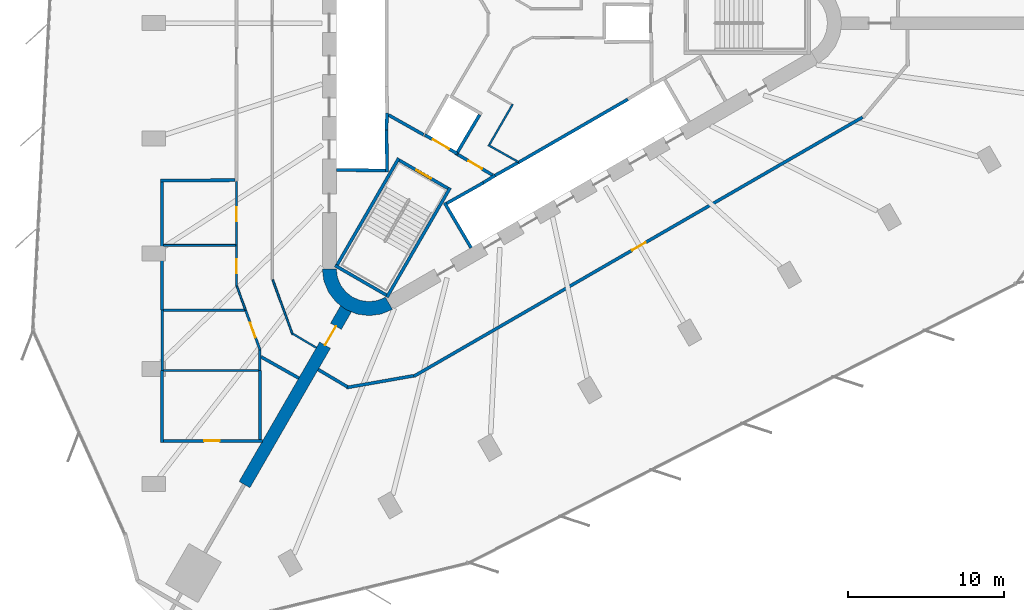
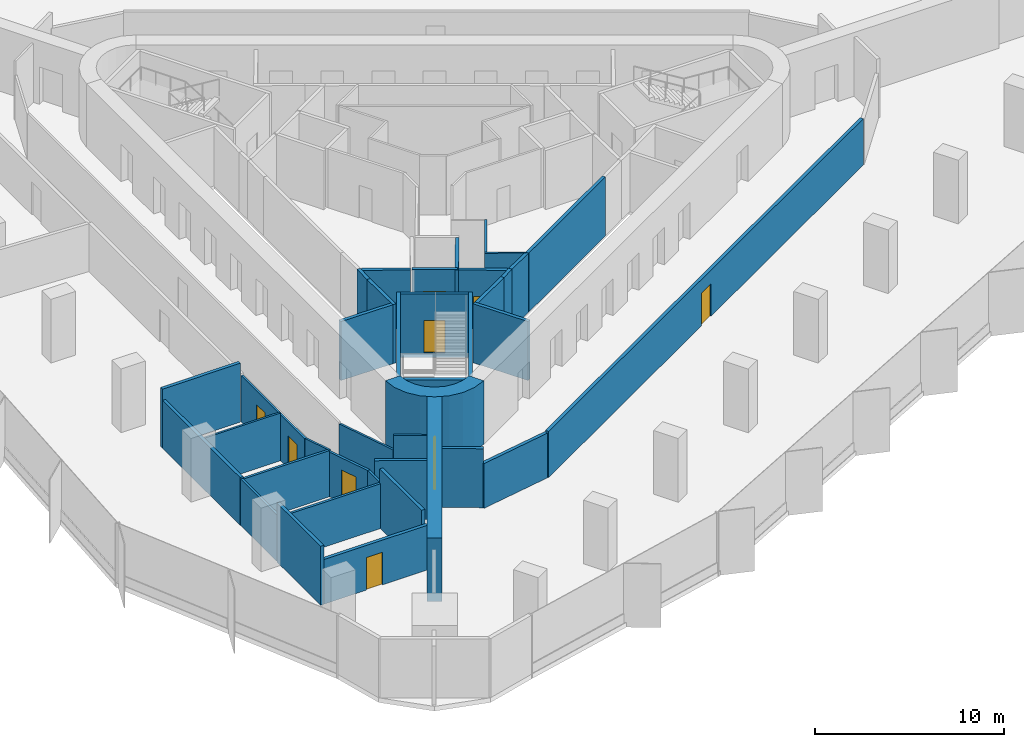
# One storey, part 9 of 14: 39 walls, 9 doors, 9 openings.
"""IFC4 building model written with IfcOpenShell, lengths in metres."""

from ifc_helpers import new_model, si_unit, direction, frame, frame_2d, origin, place, context, subcontext, project, spatial, polyline, rectangle, outline, extrude, material, layer, layer_set, type_object, element, fill, save


model = new_model("IFC4")

# Units and contexts
model_context = context("Model", 3, precision=1e-05, world=origin(), true_north=direction((0.0, 1.0)))
body_context = subcontext(model_context, "Body", "Model", "MODEL_VIEW")
ifc_project = project(units=[si_unit("LENGTHUNIT", "METRE"), si_unit("AREAUNIT", "SQUARE_METRE"), si_unit("VOLUMEUNIT", "CUBIC_METRE"), si_unit("PLANEANGLEUNIT", "RADIAN"), si_unit("MASSUNIT", "GRAM", prefix="KILO")], contexts=[model_context])

# Site, building, storey
site_placement = place(None, origin())
site = spatial("IfcSite", under=ifc_project, at=site_placement, CompositionType="ELEMENT")
building_placement = place(site_placement, origin())
building = spatial("IfcBuilding", under=site, at=building_placement, Name="Tanit Gate Tower", CompositionType="ELEMENT")
storey_placement = place(building_placement, frame((0.0, 0.0, 115.199951171875)))
storey = spatial("IfcBuildingStorey", under=building, at=storey_placement, Name="L24", CompositionType="ELEMENT", Elevation=115.199951171875)

# Wall, opening, door
ifc_material_1 = material(Name="Concrete C60/75", Category="concrete")
ifc_layer_1 = layer(ifc_material_1, 0.800048828125)
ifc_layer_set_1 = layer_set([ifc_layer_1], Name="BUTTRESS FIN 800 C60/75")
wall_type_1 = type_object("IfcWallType", Name="BUTTRESS FIN 800 C60/75", PredefinedType="SHEAR", material=ifc_layer_set_1)
wall_1_placement = place(storey_placement, frame((-10.574951171875, -18.31640625, 0.0), z_axis=(0.0, 0.0, 1.0), x_axis=(-0.500003112169, -0.866023606965, 0.0)))
wall_1 = element("IfcWall", 1, at=wall_1_placement, inside=storey, type_object=wall_type_1, Name="BUTTRESS FIN", PredefinedType="SHEAR", context=body_context, shape_type="SweptSolid", body=[
    extrude(rectangle(XDim=13.02685546875, YDim=0.800048828125, at=frame_2d((6.513427734375, 0.0))), origin(), (0.0, 0.0, 1.0), 4.10009765625),
])
opening_1_placement = place(wall_1_placement, frame((1.300048828125, 0.0, 0.0)))
opening_1 = element("IfcOpeningElement", 2, at=opening_1_placement, cuts=wall_1, Name="Opening P14-S05-F-SW-1", PredefinedType="OPENING", context=body_context, shape_type="SweptSolid", body=[
    extrude(rectangle(XDim=1.39990234375, YDim=2.39990234375, at=frame_2d((0.699951171875, 1.199951171875))), frame((0.0, 0.41015625, 0.0), z_axis=(0.0, -1.0, 0.0), x_axis=(1.0, 0.0, 0.0)), (0.0, 0.0, 1.0), 0.820068359375),
])
ifc_material_2 = material(Name="Timber door leaf", Category="wood")
door_type_1 = type_object("IfcDoorType", Name="INT-DOOR-FIN-PAIR-1400", OperationType="NOTDEFINED", PredefinedType="NOTDEFINED", material=ifc_material_2)
door_1_placement = place(opening_1_placement, origin())
door_1 = element("IfcDoor", 3, at=door_1_placement, inside=storey, type_object=door_type_1, Name="Door P14-S05-F-SW-1", OperationType="DOUBLE_DOOR_SINGLE_SWING", OverallHeight=2.39990234375, OverallWidth=1.39990234375, PredefinedType="NOTDEFINED", context=body_context, shape_type="SweptSolid", body=[
    extrude(rectangle(XDim=1.39990234375, YDim=2.39990234375, at=frame_2d((0.699951171875, 1.199951171875))), frame((0.0, 0.02490234375, 0.0), z_axis=(0.0, -1.0, 0.0), x_axis=(1.0, 0.0, 0.0)), (0.0, 0.0, 1.0), 0.050048828125),
])
fill(opening_1, door_1)

# Walls
ifc_material_3 = material(Name="Concrete C60/75", Category="concrete")
ifc_layer_2 = layer(ifc_material_3, 0.89990234375)
ifc_layer_set_2 = layer_set([ifc_layer_2], Name="CORE WALL 900 C60/75")
wall_type_2 = type_object("IfcWallType", Name="CORE WALL 900 C60/75", PredefinedType="SHEAR", material=ifc_layer_set_2)
wall_2_placement = place(storey_placement, origin())
element("IfcWall", 4, at=wall_2_placement, inside=storey, type_object=wall_type_2, Name="CORE WALL CORNER", PredefinedType="SHEAR", context=body_context, shape_type="SweptSolid", body=[
    extrude(outline(polyline([(-12.10009765625, -15.76171875), (-11.997802734375, -16.5380859375), (-11.697998046875, -17.26171875), (-11.22119140625, -17.883056640625), (-10.60009765625, -18.359619140625), (-9.87646484375, -18.659423828125), (-9.10009765625, -18.76171875), (-8.323486328125, -18.659423828125), (-7.60009765625, -18.359619140625), (-8.050048828125, -17.580322265625), (-8.556396484375, -17.7900390625), (-9.10009765625, -17.86181640625), (-9.6435546875, -17.7900390625), (-10.14990234375, -17.580322265625), (-10.5849609375, -17.24658203125), (-10.918701171875, -16.811767578125), (-11.12841796875, -16.30517578125), (-11.199951171875, -15.76171875), (-12.10009765625, -15.76171875)])), origin(), (0.0, 0.0, 1.0), 4.10009765625),
])
ifc_material_4 = material(Name="Fire-rated gypsum board partition")
ifc_layer_3 = layer(ifc_material_4, 0.199951171875)
ifc_layer_set_3 = layer_set([ifc_layer_3], Name="INT-WALL-COMPARTMENT")
wall_type_3 = type_object("IfcWallType", Name="INT-WALL-COMPARTMENT", PredefinedType="PARTITIONING", material=ifc_layer_set_3)
wall_3_placement = place(storey_placement, frame((-7.84912109375, -5.893798828125, 0.0), z_axis=(0.0, 0.0, 1.0), x_axis=(0.871340486379, -0.490678873396, 0.0)))
element("IfcWall", 5, at=wall_3_placement, inside=storey, type_object=wall_type_3, Name="Wall Compartment W063", PredefinedType="PARTITIONING", context=body_context, shape_type="SweptSolid", body=[
    extrude(rectangle(XDim=2.580810546875, YDim=0.199951171875, at=frame_2d((1.29052734375, 0.0))), origin(), (0.0, 0.0, 1.0), 3.800048828125),
])

# Wall, opening, door
wall_4_placement = place(storey_placement, frame((-3.400634765625, -8.43017578125, 0.0), z_axis=(0.0, 0.0, 1.0), x_axis=(0.860598681535, -0.509283721849, 0.0)))
wall_4 = element("IfcWall", 6, at=wall_4_placement, inside=storey, type_object=wall_type_3, Name="Wall Compartment W064", PredefinedType="PARTITIONING", context=body_context, shape_type="SweptSolid", body=[
    extrude(rectangle(XDim=2.5810546875, YDim=0.199951171875, at=frame_2d((1.29052734375, 0.0))), origin(), (0.0, 0.0, 1.0), 3.800048828125),
])
opening_2_placement = place(wall_4_placement, frame((0.79052734375, 0.0, 0.0)))
opening_2 = element("IfcOpeningElement", 7, at=opening_2_placement, cuts=wall_4, Name="Opening F10-S05-08", PredefinedType="OPENING", context=body_context, shape_type="SweptSolid", body=[
    extrude(rectangle(XDim=1.0, YDim=2.10009765625, at=frame_2d((0.5, 1.050048828125))), frame((0.0, 0.10986328125, 0.0), z_axis=(0.0, -1.0, 0.0), x_axis=(1.0, 0.0, 0.0)), (0.0, 0.0, 1.0), 0.219970703125),
])
ifc_material_5 = material(Name="Fire-rated steel door leaf", Category="steel")
door_type_2 = type_object("IfcDoorType", Name="INT-DOOR-FIRE-1000", OperationType="NOTDEFINED", PredefinedType="USERDEFINED", material=ifc_material_5)
door_2_placement = place(opening_2_placement, origin())
door_2 = element("IfcDoor", 8, at=door_2_placement, inside=storey, type_object=door_type_2, Name="Door F10-S05-08", ObjectType="FIRE DOOR", OperationType="SINGLE_SWING_LEFT", OverallHeight=2.10009765625, OverallWidth=1.0, PredefinedType="USERDEFINED", context=body_context, shape_type="SweptSolid", body=[
    extrude(rectangle(XDim=1.0, YDim=2.10009765625, at=frame_2d((0.5, 1.050048828125))), frame((0.0, 0.02490234375, 0.0), z_axis=(0.0, -1.0, 0.0), x_axis=(1.0, 0.0, 0.0)), (0.0, 0.0, 1.0), 0.050048828125),
])
fill(opening_2, door_2)

# Wall
wall_5_placement = place(storey_placement, frame((-16.02490234375, -21.402587890625, 0.0), z_axis=(0.0, 0.0, 1.0), x_axis=(0.870940841338, -0.491387882318, 0.0)))
element("IfcWall", 9, at=wall_5_placement, inside=storey, type_object=wall_type_3, Name="Wall Compartment W090", PredefinedType="PARTITIONING", context=body_context, shape_type="SweptSolid", body=[
    extrude(rectangle(XDim=2.77685546875, YDim=0.199951171875, at=frame_2d((1.388427734375, 0.0))), origin(), (0.0, 0.0, 1.0), 3.800048828125),
])

# Wall, opening, door
wall_6_placement = place(storey_placement, frame((-6.227294921875, -22.64794921875, 0.0), z_axis=(0.0, 0.0, 1.0), x_axis=(0.866024349396, 0.50000182625, 0.0)))
wall_6 = element("IfcWall", 10, at=wall_6_placement, inside=storey, type_object=wall_type_3, Name="Wall Compartment W106", PredefinedType="PARTITIONING", context=body_context, shape_type="SweptSolid", body=[
    extrude(rectangle(XDim=33.23388671875, YDim=0.199951171875, at=frame_2d((16.616943359375, 0.0))), origin(), (0.0, 0.0, 1.0), 2.97998046875),
])
opening_3_placement = place(wall_6_placement, frame((16.166748046875, 0.0, 0.0)))
opening_3 = element("IfcOpeningElement", 11, at=opening_3_placement, cuts=wall_6, Name="Opening F10-S05-23", PredefinedType="OPENING", context=body_context, shape_type="SweptSolid", body=[
    extrude(rectangle(XDim=1.0, YDim=2.10009765625, at=frame_2d((0.5, 1.050048828125))), frame((0.0, 0.10986328125, 0.0), z_axis=(0.0, -1.0, 0.0), x_axis=(1.0, 0.0, 0.0)), (0.0, 0.0, 1.0), 0.219970703125),
])
door_3_placement = place(opening_3_placement, origin())
door_3 = element("IfcDoor", 12, at=door_3_placement, inside=storey, type_object=door_type_2, Name="Door F10-S05-23", ObjectType="FIRE DOOR", OperationType="SINGLE_SWING_LEFT", OverallHeight=2.10009765625, OverallWidth=1.0, PredefinedType="USERDEFINED", context=body_context, shape_type="SweptSolid", body=[
    extrude(rectangle(XDim=1.0, YDim=2.10009765625, at=frame_2d((0.5, 1.050048828125))), frame((0.0, 0.02490234375, 0.0), z_axis=(0.0, -1.0, 0.0), x_axis=(1.0, 0.0, 0.0)), (0.0, 0.0, 1.0), 0.050048828125),
])
fill(opening_3, door_3)

# Walls
wall_7_placement = place(storey_placement, frame((-10.5537109375, -23.3759765625, 0.0), z_axis=(0.0, 0.0, 1.0), x_axis=(0.984809913529, 0.173635924323, 0.0)))
element("IfcWall", 13, at=wall_7_placement, inside=storey, type_object=wall_type_3, Name="Wall Compartment W107", PredefinedType="PARTITIONING", context=body_context, shape_type="SweptSolid", body=[
    extrude(rectangle(XDim=4.38134765625, YDim=0.199951171875, at=frame_2d((2.190673828125, 0.0))), origin(), (0.0, 0.0, 1.0), 2.880126953125),
])
wall_8_placement = place(storey_placement, frame((-12.364013671875, -22.215087890625, 0.0), z_axis=(0.0, 0.0, 1.0), x_axis=(0.860324145196, -0.509747354278, 0.0)))
element("IfcWall", 14, at=wall_8_placement, inside=storey, type_object=wall_type_3, Name="Wall Compartment W108", PredefinedType="PARTITIONING", context=body_context, shape_type="SweptSolid", body=[
    extrude(rectangle(XDim=2.188720703125, YDim=0.199951171875, at=frame_2d((1.09423828125, 0.0))), origin(), (0.0, 0.0, 1.0), 3.800048828125),
])
wall_9_placement = place(storey_placement, frame((-17.699951171875, -10.070556640625, 0.0), z_axis=(0.0, 0.0, 1.0), x_axis=(-0.999980184405, -0.006295299554, 0.0)))
element("IfcWall", 15, at=wall_9_placement, inside=storey, type_object=wall_type_3, Name="Wall Compartment W112", PredefinedType="PARTITIONING", context=body_context, shape_type="SweptSolid", body=[
    extrude(rectangle(XDim=4.77001953125, YDim=0.199951171875, at=frame_2d((2.385009765625, 0.0))), origin(), (0.0, 0.0, 1.0), 3.800048828125),
])
wall_10_placement = place(storey_placement, frame((-22.3701171875, -26.889892578125, 0.0), z_axis=(0.0, 0.0, 1.0), x_axis=(0.0, 1.0, 0.0)))
element("IfcWall", 16, at=wall_10_placement, inside=storey, type_object=wall_type_3, Name="Wall Compartment W117", PredefinedType="PARTITIONING", context=body_context, shape_type="SweptSolid", body=[
    extrude(rectangle(XDim=4.622314453125, YDim=0.199951171875, at=frame_2d((2.31103515625, 0.0))), origin(), (0.0, 0.0, 1.0), 3.800048828125),
])
wall_11_placement = place(storey_placement, frame((-22.3701171875, -18.3955078125, 0.0), z_axis=(0.0, 0.0, 1.0), x_axis=(0.0, 1.0, 0.0)))
element("IfcWall", 17, at=wall_11_placement, inside=storey, type_object=wall_type_3, Name="Wall Compartment W114", PredefinedType="PARTITIONING", context=body_context, shape_type="SweptSolid", body=[
    extrude(rectangle(XDim=8.195556640625, YDim=0.199951171875, at=frame_2d((4.09765625, 0.0))), origin(), (0.0, 0.0, 1.0), 3.080078125),
])

# Wall, opening, door
wall_12_placement = place(storey_placement, frame((-22.27001953125, -26.7900390625, 0.0), z_axis=(0.0, 0.0, 1.0), x_axis=(1.0, 0.0, 0.0)))
wall_12 = element("IfcWall", 18, at=wall_12_placement, inside=storey, type_object=wall_type_3, Name="Wall Compartment W118", PredefinedType="PARTITIONING", context=body_context, shape_type="SweptSolid", body=[
    extrude(rectangle(XDim=6.3408203125, YDim=0.199951171875, at=frame_2d((3.17041015625, 0.0))), origin(), (0.0, 0.0, 1.0), 2.880126953125),
])
opening_4_placement = place(wall_12_placement, frame((2.5849609375, 0.0, 0.0)))
opening_4 = element("IfcOpeningElement", 19, at=opening_4_placement, cuts=wall_12, Name="Opening F10-S05-19", PredefinedType="OPENING", context=body_context, shape_type="SweptSolid", body=[
    extrude(rectangle(XDim=1.0, YDim=2.10009765625, at=frame_2d((0.5, 1.050048828125))), frame((0.0, 0.10986328125, 0.0), z_axis=(0.0, -1.0, 0.0), x_axis=(1.0, 0.0, 0.0)), (0.0, 0.0, 1.0), 0.219970703125),
])
door_4_placement = place(opening_4_placement, origin())
door_4 = element("IfcDoor", 20, at=door_4_placement, inside=storey, type_object=door_type_2, Name="Door F10-S05-19", ObjectType="FIRE DOOR", OperationType="SINGLE_SWING_LEFT", OverallHeight=2.10009765625, OverallWidth=1.0, PredefinedType="USERDEFINED", context=body_context, shape_type="SweptSolid", body=[
    extrude(rectangle(XDim=1.0, YDim=2.10009765625, at=frame_2d((0.5, 1.050048828125))), frame((0.0, 0.02490234375, 0.0), z_axis=(0.0, -1.0, 0.0), x_axis=(1.0, 0.0, 0.0)), (0.0, 0.0, 1.0), 0.050048828125),
])
fill(opening_4, door_4)

# Walls
wall_13_placement = place(storey_placement, frame((-16.10009765625, -26.68994140625, 0.0), z_axis=(0.0, 0.0, 1.0), x_axis=(0.0, 1.0, 0.0)))
element("IfcWall", 21, at=wall_13_placement, inside=storey, type_object=wall_type_3, Name="Wall Compartment W119", PredefinedType="PARTITIONING", context=body_context, shape_type="SweptSolid", body=[
    extrude(rectangle(XDim=4.42236328125, YDim=0.199951171875, at=frame_2d((2.211181640625, 0.0))), origin(), (0.0, 0.0, 1.0), 3.800048828125),
])
ifc_material_6 = material(Name="Gypsum board partition")
ifc_layer_4 = layer(ifc_material_6, 0.1201171875)
ifc_layer_set_4 = layer_set([ifc_layer_4], Name="INT-WALL-PARTITION")
wall_type_4 = type_object("IfcWallType", Name="INT-WALL-PARTITION", PredefinedType="PARTITIONING", material=ifc_layer_set_4)
wall_14_placement = place(storey_placement, frame((-1.464111328125, -7.81591796875, 0.0), z_axis=(0.0, 0.0, 1.0), x_axis=(0.871880202732, -0.489719217597, 0.0)))
element("IfcWall", 22, at=wall_14_placement, inside=storey, type_object=wall_type_4, Name="Wall Partition W068", PredefinedType="PARTITIONING", context=body_context, shape_type="SweptSolid", body=[
    extrude(rectangle(XDim=2.224365234375, YDim=0.1201171875, at=frame_2d((1.1123046875, 0.0))), origin(), (0.0, 0.0, 1.0), 3.800048828125),
])
wall_15_placement = place(storey_placement, frame((0.1181640625, -5.195068359375, 0.0), z_axis=(0.0, 0.0, 1.0), x_axis=(-0.499990139034, -0.866031096941, 0.0)))
element("IfcWall", 23, at=wall_15_placement, inside=storey, type_object=wall_type_4, Name="Wall Partition W069", PredefinedType="PARTITIONING", context=body_context, shape_type="SweptSolid", body=[
    extrude(rectangle(XDim=3.0, YDim=0.1201171875, at=frame_2d((1.5, 0.0))), origin(), (0.0, 0.0, 1.0), 3.800048828125),
])
wall_16_placement = place(storey_placement, frame((-15.279541015625, -16.461669921875, 0.0), z_axis=(0.0, 0.0, 1.0), x_axis=(0.34206888523, -0.939674878752, 0.0)))
element("IfcWall", 24, at=wall_16_placement, inside=storey, type_object=wall_type_4, Name="Wall Partition W087", PredefinedType="PARTITIONING", context=body_context, shape_type="SweptSolid", body=[
    extrude(rectangle(XDim=3.72998046875, YDim=0.1201171875, at=frame_2d((1.864990234375, 0.0))), origin(), (0.0, 0.0, 1.0), 2.880126953125),
])
wall_17_placement = place(storey_placement, frame((-14.005126953125, -19.91162109375, 0.0), z_axis=(0.0, 0.0, 1.0), x_axis=(0.859128591272, -0.511759771435, 0.0)))
element("IfcWall", 25, at=wall_17_placement, inside=storey, type_object=wall_type_4, Name="Wall Partition W088", PredefinedType="PARTITIONING", context=body_context, shape_type="SweptSolid", body=[
    extrude(rectangle(XDim=1.773193359375, YDim=0.1201171875, at=frame_2d((0.88671875, 0.0))), origin(), (0.0, 0.0, 1.0), 3.800048828125),
])

# Wall, openings, doors
wall_18_placement = place(storey_placement, frame((-17.60009765625, -10.169921875, 0.0), z_axis=(0.0, 0.0, 1.0), x_axis=(0.0, -1.0, 0.0)))
wall_18 = element("IfcWall", 26, at=wall_18_placement, inside=storey, type_object=wall_type_4, Name="Wall Partition W095", PredefinedType="PARTITIONING", context=body_context, shape_type="SweptSolid", body=[
    extrude(rectangle(XDim=6.700927734375, YDim=0.1201171875, at=frame_2d((3.3505859375, 0.0))), origin(), (0.0, 0.0, 1.0), 2.97998046875),
])
opening_5_placement = place(wall_18_placement, frame((1.623291015625, 0.0, 0.0)))
opening_5 = element("IfcOpeningElement", 27, at=opening_5_placement, cuts=wall_18, Name="Opening D09-S05-16", PredefinedType="OPENING", context=body_context, shape_type="SweptSolid", body=[
    extrude(rectangle(XDim=0.89990234375, YDim=2.10009765625, at=frame_2d((0.449951171875, 1.050048828125))), frame((0.0, 0.070068359375, 0.0), z_axis=(0.0, -1.0, 0.0), x_axis=(1.0, 0.0, 0.0)), (0.0, 0.0, 1.0), 0.14013671875),
])
opening_6_placement = place(wall_18_placement, frame((4.9736328125, 0.0, 0.0)))
opening_6 = element("IfcOpeningElement", 28, at=opening_6_placement, cuts=wall_18, Name="Opening D09-S05-17", PredefinedType="OPENING", context=body_context, shape_type="SweptSolid", body=[
    extrude(rectangle(XDim=0.89990234375, YDim=2.10009765625, at=frame_2d((0.449951171875, 1.050048828125))), frame((0.0, 0.070068359375, 0.0), z_axis=(0.0, -1.0, 0.0), x_axis=(1.0, 0.0, 0.0)), (0.0, 0.0, 1.0), 0.14013671875),
])
ifc_material_7 = material(Name="Timber door leaf", Category="wood")
door_type_3 = type_object("IfcDoorType", Name="INT-DOOR-SINGLE-900", OperationType="NOTDEFINED", PredefinedType="NOTDEFINED", material=ifc_material_7)
door_5_placement = place(opening_5_placement, origin())
door_5 = element("IfcDoor", 29, at=door_5_placement, inside=storey, type_object=door_type_3, Name="Door D09-S05-16", OperationType="SINGLE_SWING_LEFT", OverallHeight=2.10009765625, OverallWidth=0.89990234375, PredefinedType="NOTDEFINED", context=body_context, shape_type="SweptSolid", body=[
    extrude(rectangle(XDim=0.89990234375, YDim=2.10009765625, at=frame_2d((0.449951171875, 1.050048828125))), frame((0.0, 0.02490234375, 0.0), z_axis=(0.0, -1.0, 0.0), x_axis=(1.0, 0.0, 0.0)), (0.0, 0.0, 1.0), 0.050048828125),
])
fill(opening_5, door_5)
door_6_placement = place(opening_6_placement, origin())
door_6 = element("IfcDoor", 30, at=door_6_placement, inside=storey, type_object=door_type_3, Name="Door D09-S05-17", OperationType="SINGLE_SWING_RIGHT", OverallHeight=2.10009765625, OverallWidth=0.89990234375, PredefinedType="NOTDEFINED", context=body_context, shape_type="SweptSolid", body=[
    extrude(rectangle(XDim=0.89990234375, YDim=2.10009765625, at=frame_2d((0.449951171875, 1.050048828125))), frame((0.0, 0.02490234375, 0.0), z_axis=(0.0, -1.0, 0.0), x_axis=(1.0, 0.0, 0.0)), (0.0, 0.0, 1.0), 0.050048828125),
])
fill(opening_6, door_6)

# Walls
wall_19_placement = place(storey_placement, frame((-17.57958984375, -16.8671875, 0.0), z_axis=(0.0, 0.0, 1.0), x_axis=(0.342113754223, -0.939658543925, 0.0)))
element("IfcWall", 31, at=wall_19_placement, inside=storey, type_object=wall_type_4, Name="Wall Partition W096", PredefinedType="PARTITIONING", context=body_context, shape_type="SweptSolid", body=[
    extrude(rectangle(XDim=1.63916015625, YDim=0.1201171875, at=frame_2d((0.819580078125, 0.0))), origin(), (0.0, 0.0, 1.0), 2.97998046875),
])
wall_20_placement = place(storey_placement, frame((-17.659912109375, -14.25634765625, 0.0), z_axis=(0.0, 0.0, 1.0), x_axis=(-1.0, 0.0, 0.0)))
element("IfcWall", 32, at=wall_20_placement, inside=storey, type_object=wall_type_4, Name="Wall Partition W124", PredefinedType="PARTITIONING", context=body_context, shape_type="SweptSolid", body=[
    extrude(rectangle(XDim=4.610107421875, YDim=0.1201171875, at=frame_2d((2.30517578125, 0.0))), origin(), (0.0, 0.0, 1.0), 3.080078125),
])

# Wall, opening, door
ifc_material_8 = material(Name="Fire-rated gypsum board partition")
ifc_layer_5 = layer(ifc_material_8, 0.14990234375)
ifc_layer_set_5 = layer_set([ifc_layer_5], Name="INT-WALL-RISER")
wall_type_5 = type_object("IfcWallType", Name="INT-WALL-RISER", PredefinedType="PLUMBINGWALL", material=ifc_layer_set_5)
wall_21_placement = place(storey_placement, frame((-17.018798828125, -18.407470703125, 0.0), z_axis=(0.0, 0.0, 1.0), x_axis=(0.341987834354, -0.939704379661, 0.0)))
wall_21 = element("IfcWall", 33, at=wall_21_placement, inside=storey, type_object=wall_type_5, Name="Wall Riser W098", PredefinedType="PLUMBINGWALL", context=body_context, shape_type="SweptSolid", body=[
    extrude(rectangle(XDim=2.72265625, YDim=0.14990234375, at=frame_2d((1.361328125, 0.0))), origin(), (0.0, 0.0, 1.0), 2.880126953125),
])
opening_7_placement = place(wall_21_placement, frame((0.861572265625, 0.0, 0.0)))
opening_7 = element("IfcOpeningElement", 34, at=opening_7_placement, cuts=wall_21, Name="Opening F10-S05-18", PredefinedType="OPENING", context=body_context, shape_type="SweptSolid", body=[
    extrude(rectangle(XDim=1.0, YDim=2.10009765625, at=frame_2d((0.5, 1.050048828125))), frame((0.0, 0.0849609375, 0.0), z_axis=(0.0, -1.0, 0.0), x_axis=(1.0, 0.0, 0.0)), (0.0, 0.0, 1.0), 0.169921875),
])
door_7_placement = place(opening_7_placement, origin())
door_7 = element("IfcDoor", 35, at=door_7_placement, inside=storey, type_object=door_type_2, Name="Door F10-S05-18", ObjectType="FIRE DOOR", OperationType="SINGLE_SWING_RIGHT", OverallHeight=2.10009765625, OverallWidth=1.0, PredefinedType="USERDEFINED", context=body_context, shape_type="SweptSolid", body=[
    extrude(rectangle(XDim=1.0, YDim=2.10009765625, at=frame_2d((0.5, 1.050048828125))), frame((0.0, 0.02490234375, 0.0), z_axis=(0.0, -1.0, 0.0), x_axis=(1.0, 0.0, 0.0)), (0.0, 0.0, 1.0), 0.050048828125),
])
fill(opening_7, door_7)

# Walls
wall_22_placement = place(storey_placement, frame((-22.3701171875, -22.267578125, 0.0), z_axis=(0.0, 0.0, 1.0), x_axis=(0.0, 1.0, 0.0)))
element("IfcWall", 36, at=wall_22_placement, inside=storey, type_object=wall_type_5, Name="Wall Riser W115", PredefinedType="PLUMBINGWALL", context=body_context, shape_type="SweptSolid", body=[
    extrude(rectangle(XDim=3.8720703125, YDim=0.14990234375, at=frame_2d((1.93603515625, 0.0))), origin(), (0.0, 0.0, 1.0), 2.97998046875),
])
wall_23_placement = place(storey_placement, frame((-16.10009765625, -22.267578125, 0.0), z_axis=(0.0, 0.0, 1.0), x_axis=(0.0, 1.0, 0.0)))
element("IfcWall", 37, at=wall_23_placement, inside=storey, type_object=wall_type_5, Name="Wall Riser W116", PredefinedType="PLUMBINGWALL", context=body_context, shape_type="SweptSolid", body=[
    extrude(rectangle(XDim=1.320068359375, YDim=0.14990234375, at=frame_2d((0.66015625, 0.0))), origin(), (0.0, 0.0, 1.0), 2.880126953125),
])
wall_24_placement = place(storey_placement, frame((-17.084228515625, -18.403076171875, 0.0), z_axis=(0.0, 0.0, 1.0), x_axis=(-1.0, 0.0, 0.0)))
element("IfcWall", 38, at=wall_24_placement, inside=storey, type_object=wall_type_5, Name="Wall Riser W125", PredefinedType="PLUMBINGWALL", context=body_context, shape_type="SweptSolid", body=[
    extrude(rectangle(XDim=5.185791015625, YDim=0.14990234375, at=frame_2d((2.5927734375, 0.0))), origin(), (0.0, 0.0, 1.0), 2.97998046875),
])
wall_25_placement = place(storey_placement, frame((-16.175048828125, -22.27490234375, 0.0), z_axis=(0.0, 0.0, 1.0), x_axis=(-1.0, 0.0, 0.0)))
element("IfcWall", 39, at=wall_25_placement, inside=storey, type_object=wall_type_5, Name="Wall Riser W126", PredefinedType="PLUMBINGWALL", context=body_context, shape_type="SweptSolid", body=[
    extrude(rectangle(XDim=6.119873046875, YDim=0.14990234375, at=frame_2d((3.06005859375, 0.0))), origin(), (0.0, 0.0, 1.0), 2.880126953125),
])
ifc_material_9 = material(Name="Gypsum shaft wall system")
ifc_layer_6 = layer(ifc_material_9, 0.199951171875)
ifc_layer_set_6 = layer_set([ifc_layer_6], Name="INT-WALL-SHAFT")
wall_type_6 = type_object("IfcWallType", Name="INT-WALL-SHAFT", PredefinedType="PLUMBINGWALL", material=ifc_layer_set_6)
wall_26_placement = place(storey_placement, frame((-7.949951171875, -5.7724609375, 0.0), z_axis=(0.0, 0.0, 1.0), x_axis=(-0.030803413295, -0.999525462272, 0.0)))
element("IfcWall", 40, at=wall_26_placement, inside=storey, type_object=wall_type_6, Name="Wall Shaft W009", PredefinedType="PLUMBINGWALL", context=body_context, shape_type="SweptSolid", body=[
    extrude(rectangle(XDim=1.077880859375, YDim=0.199951171875, at=frame_2d((0.5390625, 0.0))), origin(), (0.0, 0.0, 1.0), 3.800048828125),
])
wall_27_placement = place(storey_placement, frame((-7.97900390625, -6.85009765625, 0.0), z_axis=(0.0, 0.0, 1.0), x_axis=(0.011121475088, -0.999938154483, 0.0)))
element("IfcWall", 41, at=wall_27_placement, inside=storey, type_object=wall_type_6, Name="Wall Shaft W011", PredefinedType="PLUMBINGWALL", context=body_context, shape_type="SweptSolid", body=[
    extrude(rectangle(XDim=2.7001953125, YDim=0.199951171875, at=frame_2d((1.35009765625, 0.0))), origin(), (0.0, 0.0, 1.0), 3.800048828125),
])
wall_28_placement = place(storey_placement, frame((-8.050048828125, -9.448974609375, 0.0), z_axis=(0.0, 0.0, 1.0), x_axis=(-0.999957467379, 0.009222983926, 0.0)))
element("IfcWall", 42, at=wall_28_placement, inside=storey, type_object=wall_type_6, Name="Wall Shaft W012", PredefinedType="PLUMBINGWALL", context=body_context, shape_type="SweptSolid", body=[
    extrude(rectangle(XDim=3.150146484375, YDim=0.199951171875, at=frame_2d((1.5751953125, 0.0))), origin(), (0.0, 0.0, 1.0), 3.800048828125),
])
wall_29_placement = place(storey_placement, frame((0.482666015625, -8.935791015625, 0.0), z_axis=(0.0, 0.0, 1.0), x_axis=(0.866030989016, 0.499990325971, 0.0)))
element("IfcWall", 43, at=wall_29_placement, inside=storey, type_object=wall_type_6, Name="Wall Shaft W031", PredefinedType="PLUMBINGWALL", context=body_context, shape_type="SweptSolid", body=[
    extrude(rectangle(XDim=8.099853515625, YDim=0.199951171875, at=frame_2d((4.0498046875, 0.0))), origin(), (0.0, 0.0, 1.0), 3.800048828125),
])
wall_30_placement = place(storey_placement, frame((-2.557861328125, -14.409423828125, 0.0), z_axis=(0.0, 0.0, 1.0), x_axis=(-0.507997497166, 0.861358544901, 0.0)))
element("IfcWall", 44, at=wall_30_placement, inside=storey, type_object=wall_type_6, Name="Wall Shaft W027", PredefinedType="PLUMBINGWALL", context=body_context, shape_type="SweptSolid", body=[
    extrude(rectangle(XDim=3.350341796875, YDim=0.199951171875, at=frame_2d((1.67529296875, 0.0))), origin(), (0.0, 0.0, 1.0), 3.800048828125),
])
wall_31_placement = place(storey_placement, frame((-1.7685546875, -10.23681640625, 0.0), z_axis=(0.0, 0.0, 1.0), x_axis=(-0.871534483978, -0.490334215854, 0.0)))
element("IfcWall", 45, at=wall_31_placement, inside=storey, type_object=wall_type_6, Name="Wall Shaft W028", PredefinedType="PLUMBINGWALL", context=body_context, shape_type="SweptSolid", body=[
    extrude(rectangle(XDim=2.7001953125, YDim=0.199951171875, at=frame_2d((1.35009765625, 0.0))), origin(), (0.0, 0.0, 1.0), 3.800048828125),
])
wall_32_placement = place(storey_placement, frame((-1.02392578125, -9.77099609375, 0.0), z_axis=(0.0, 0.0, 1.0), x_axis=(-0.850348075135, -0.526220629693, 0.0)))
element("IfcWall", 46, at=wall_32_placement, inside=storey, type_object=wall_type_6, Name="Wall Shaft W029", PredefinedType="PLUMBINGWALL", context=body_context, shape_type="SweptSolid", body=[
    extrude(rectangle(XDim=0.878173828125, YDim=0.199951171875, at=frame_2d((0.43896484375, 0.0))), origin(), (0.0, 0.0, 1.0), 3.800048828125),
])
wall_33_placement = place(storey_placement, frame((-1.13037109375, -9.83154296875, 0.0), z_axis=(0.0, 0.0, 1.0), x_axis=(0.871988740738, 0.489525929882, 0.0)))
element("IfcWall", 47, at=wall_33_placement, inside=storey, type_object=wall_type_6, Name="Wall Shaft W030", PredefinedType="PLUMBINGWALL", context=body_context, shape_type="SweptSolid", body=[
    extrude(rectangle(XDim=1.8447265625, YDim=0.199951171875, at=frame_2d((0.92236328125, 0.0))), origin(), (0.0, 0.0, 1.0), 3.800048828125),
])

# Wall, opening, door
wall_34_placement = place(storey_placement, frame((-3.44580078125, -8.3681640625, 0.0), z_axis=(0.0, 0.0, 1.0), x_axis=(-0.866024647952, 0.500001309137, 0.0)))
wall_34 = element("IfcWall", 48, at=wall_34_placement, inside=storey, type_object=wall_type_6, Name="Wall Shaft W053", PredefinedType="PLUMBINGWALL", context=body_context, shape_type="SweptSolid", body=[
    extrude(rectangle(XDim=2.39990234375, YDim=0.199951171875, at=frame_2d((1.199951171875, 0.0))), origin(), (0.0, 0.0, 1.0), 3.800048828125),
])
opening_8_placement = place(wall_34_placement, frame((0.60009765625, 0.0, 0.0)))
opening_8 = element("IfcOpeningElement", 49, at=opening_8_placement, cuts=wall_34, Name="Opening LDFL3-L24", PredefinedType="OPENING", context=body_context, shape_type="SweptSolid", body=[
    extrude(rectangle(XDim=1.199951171875, YDim=2.39990234375, at=frame_2d((0.60009765625, 1.199951171875))), frame((0.0, 0.10986328125, 0.0), z_axis=(0.0, -1.0, 0.0), x_axis=(1.0, 0.0, 0.0)), (0.0, 0.0, 1.0), 0.219970703125),
])
ifc_material_10 = material(Name="Stainless steel sliding door leaf", Category="steel")
door_type_4 = type_object("IfcDoorType", Name="INT-DOOR-LANDING-1200", OperationType="NOTDEFINED", PredefinedType="USERDEFINED", material=ifc_material_10)
door_8_placement = place(opening_8_placement, origin())
door_8 = element("IfcDoor", 50, at=door_8_placement, inside=storey, type_object=door_type_4, Name="Door LDFL3-L24", ObjectType="LANDING DOOR", OperationType="SLIDING_TO_LEFT", OverallHeight=2.39990234375, OverallWidth=1.199951171875, PredefinedType="USERDEFINED", context=body_context, shape_type="SweptSolid", body=[
    extrude(rectangle(XDim=1.199951171875, YDim=2.39990234375, at=frame_2d((0.60009765625, 1.199951171875))), frame((0.0, 0.02490234375, 0.0), z_axis=(0.0, -1.0, 0.0), x_axis=(1.0, 0.0, 0.0)), (0.0, 0.0, 1.0), 0.050048828125),
])
fill(opening_8, door_8)

# Walls
wall_35_placement = place(storey_placement, frame((-2.01171875, -5.88232421875, 0.0), z_axis=(0.0, 0.0, 1.0), x_axis=(-0.508619639323, -0.860991325447, 0.0)))
element("IfcWall", 51, at=wall_35_placement, inside=storey, type_object=wall_type_6, Name="Wall Shaft W056", PredefinedType="PLUMBINGWALL", context=body_context, shape_type="SweptSolid", body=[
    extrude(rectangle(XDim=3.0, YDim=0.199951171875, at=frame_2d((1.5, 0.0))), origin(), (0.0, 0.0, 1.0), 3.800048828125),
])
ifc_material_11 = material(Name="Concrete C40/50", Category="concrete")
ifc_layer_7 = layer(ifc_material_11, 0.199951171875)
ifc_layer_set_7 = layer_set([ifc_layer_7], Name="INT-WALL-STAIR")
wall_type_7 = type_object("IfcWallType", Name="INT-WALL-STAIR", PredefinedType="SHEAR", material=ifc_layer_set_7)
wall_36_placement = place(storey_placement, frame((-3.904541015625, -10.56298828125, -0.300048828125), z_axis=(0.0, 0.0, 1.0), x_axis=(-0.500012932018, -0.866017937352, 0.0)))
element("IfcWall", 52, at=wall_36_placement, inside=storey, type_object=wall_type_7, Name="Wall Stair W049", PredefinedType="SHEAR", context=body_context, shape_type="SweptSolid", body=[
    extrude(rectangle(XDim=8.099853515625, YDim=0.199951171875, at=frame_2d((4.0498046875, 0.0))), origin(), (0.0, 0.0, 1.0), 4.10009765625),
])
wall_37_placement = place(storey_placement, frame((-11.281982421875, -15.541015625, -0.300048828125), z_axis=(0.0, 0.0, 1.0), x_axis=(0.866000483506, -0.500043160704, 0.0)))
element("IfcWall", 53, at=wall_37_placement, inside=storey, type_object=wall_type_7, Name="Wall Stair W050", PredefinedType="SHEAR", context=body_context, shape_type="SweptSolid", body=[
    extrude(rectangle(XDim=3.800048828125, YDim=0.199951171875, at=frame_2d((1.89990234375, 0.0))), origin(), (0.0, 0.0, 1.0), 4.10009765625),
])
wall_38_placement = place(storey_placement, frame((-7.195556640625, -8.662841796875, -0.300048828125), z_axis=(0.0, 0.0, 1.0), x_axis=(-0.499997992926, -0.866026562566, 0.0)))
element("IfcWall", 54, at=wall_38_placement, inside=storey, type_object=wall_type_7, Name="Wall Stair W051", PredefinedType="SHEAR", context=body_context, shape_type="SweptSolid", body=[
    extrude(rectangle(XDim=7.89990234375, YDim=0.199951171875, at=frame_2d((3.949951171875, 0.0))), origin(), (0.0, 0.0, 1.0), 4.10009765625),
])

# Wall, opening, door
wall_39_placement = place(storey_placement, frame((-4.041259765625, -10.599365234375, -0.300048828125), z_axis=(0.0, 0.0, 1.0), x_axis=(-0.866047807691, 0.499961193289, 0.0)))
wall_39 = element("IfcWall", 55, at=wall_39_placement, inside=storey, type_object=wall_type_7, Name="Wall Stair W052", PredefinedType="SHEAR", context=body_context, shape_type="SweptSolid", body=[
    extrude(rectangle(XDim=3.599853515625, YDim=0.199951171875, at=frame_2d((1.7998046875, 0.0))), origin(), (0.0, 0.0, 1.0), 4.10009765625),
])
opening_9_placement = place(wall_39_placement, frame((1.25, 0.0, 0.300048828125)))
opening_9 = element("IfcOpeningElement", 56, at=opening_9_placement, cuts=wall_39, Name="Opening S11-S05-07", PredefinedType="OPENING", context=body_context, shape_type="SweptSolid", body=[
    extrude(rectangle(XDim=1.10009765625, YDim=2.10009765625, at=frame_2d((0.550048828125, 1.050048828125))), frame((0.0, 0.10986328125, 0.0), z_axis=(0.0, -1.0, 0.0), x_axis=(1.0, 0.0, 0.0)), (0.0, 0.0, 1.0), 0.219970703125),
])
ifc_material_12 = material(Name="Timber door leaf", Category="wood")
door_type_5 = type_object("IfcDoorType", Name="INT-DOOR-STAIR-1100", OperationType="NOTDEFINED", PredefinedType="USERDEFINED", material=ifc_material_12)
door_9_placement = place(opening_9_placement, origin())
door_9 = element("IfcDoor", 57, at=door_9_placement, inside=storey, type_object=door_type_5, Name="Door S11-S05-07", ObjectType="FIRE DOOR", OperationType="SINGLE_SWING_LEFT", OverallHeight=2.10009765625, OverallWidth=1.10009765625, PredefinedType="USERDEFINED", context=body_context, shape_type="SweptSolid", body=[
    extrude(rectangle(XDim=1.10009765625, YDim=2.10009765625, at=frame_2d((0.550048828125, 1.050048828125))), frame((0.0, 0.02490234375, 0.0), z_axis=(0.0, -1.0, 0.0), x_axis=(1.0, 0.0, 0.0)), (0.0, 0.0, 1.0), 0.050048828125),
])
fill(opening_9, door_9)

save(model, "model.ifc")
